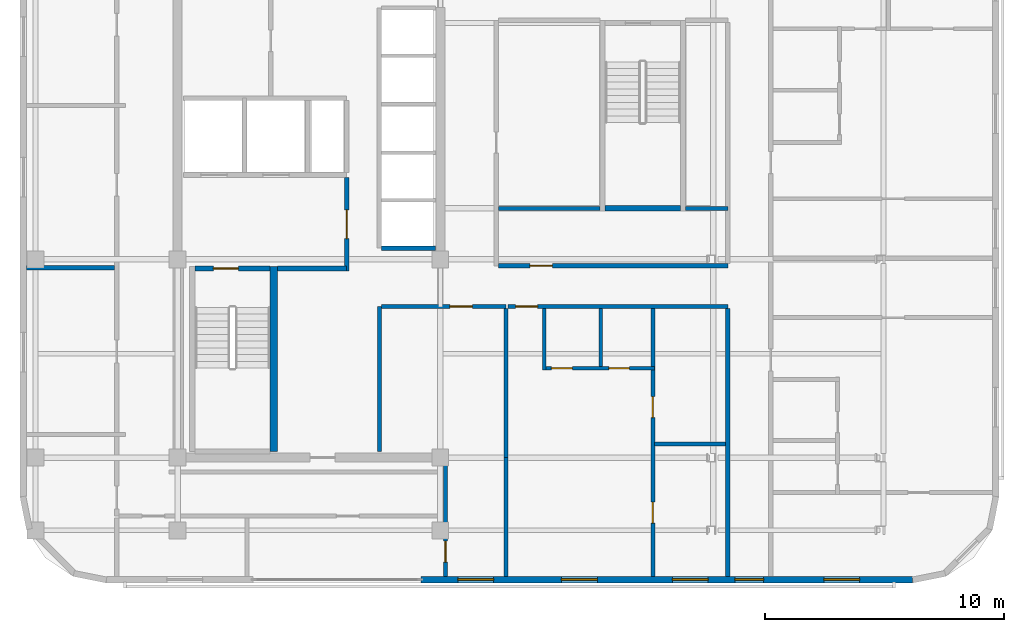
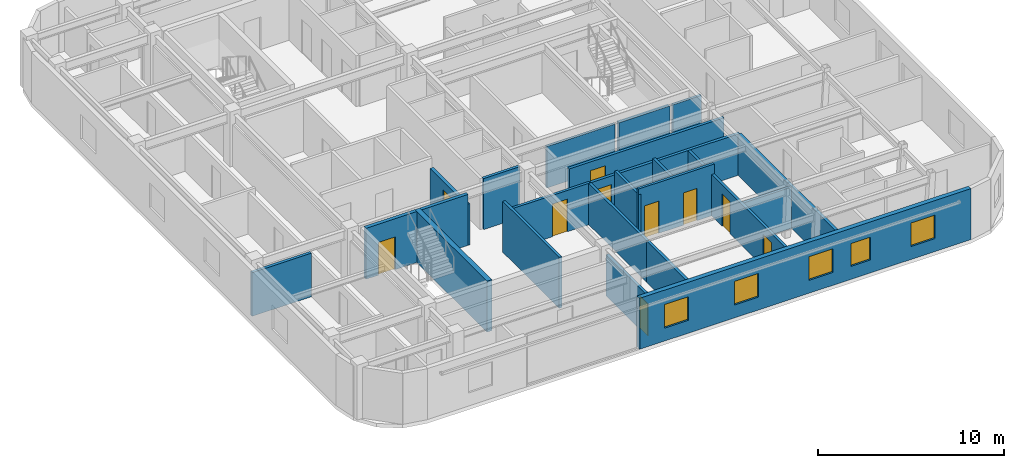
# One storey, part 4 of 11: 23 walls, 10 doors, 5 windows, 15 openings.
"""IFC4 building model written with IfcOpenShell, lengths in metres."""

from ifc_helpers import new_model, si_unit, direction, frame, frame_2d, origin, place, context, subcontext, project, spatial, rectangle, extrude, material, layer, layer_set, type_object, element, fill, save


model = new_model("IFC4")

# Units and contexts
model_context = context("Model", 3, precision=1e-05, world=origin(), true_north=direction((0.0, 1.0)))
body_context = subcontext(model_context, "Body", "Model", "MODEL_VIEW")
ifc_project = project(units=[si_unit("LENGTHUNIT", "METRE"), si_unit("AREAUNIT", "SQUARE_METRE"), si_unit("VOLUMEUNIT", "CUBIC_METRE"), si_unit("PLANEANGLEUNIT", "RADIAN"), si_unit("MASSUNIT", "GRAM", prefix="KILO")], contexts=[model_context])

# Site, building, storey
site_placement = place(None, origin())
site = spatial("IfcSite", under=ifc_project, at=site_placement, CompositionType="ELEMENT")
building_placement = place(site_placement, origin())
building = spatial("IfcBuilding", under=site, at=building_placement, Name="Ochreholt Gables", CompositionType="ELEMENT")
storey_placement = place(building_placement, frame((0.0, 0.0, 188.39990234375)))
storey = spatial("IfcBuildingStorey", under=building, at=storey_placement, Name="L49", CompositionType="ELEMENT", Elevation=188.39990234375)

# Wall, openings, windows
ifc_material_1 = material(Name="Precast concrete 40 MPa", Category="concrete")
ifc_layer_1 = layer(ifc_material_1, 0.280029296875, Name="Precast concrete 40 MPa")
ifc_layer_set_1 = layer_set([ifc_layer_1], Name="Precast concrete 40 MPa")
wall_type_1 = type_object("IfcWallType", Name="WALL-EXT-280", PredefinedType="SOLIDWALL", material=ifc_layer_set_1)
wall_1_placement = place(storey_placement, frame((34.39990234375, 4.139892578125, 0.0), z_axis=(0.0, 0.0, 1.0), x_axis=(1.0, 0.0, 0.0)))
wall_1 = element("IfcWall", 1, at=wall_1_placement, inside=storey, type_object=wall_type_1, Name="L49 South Facade Wall 2", PredefinedType="SOLIDWALL", context=body_context, shape_type="SweptSolid", body=[
    extrude(rectangle(XDim=20.580078125, YDim=0.280029296875, at=frame_2d((10.2900390625, 0.0))), origin(), (0.0, 0.0, 1.0), 3.35009765625),
])
opening_1_placement = place(wall_1_placement, frame((1.534912109375, 0.0, 0.85009765625)))
opening_1 = element("IfcOpeningElement", 2, at=opening_1_placement, cuts=wall_1, Name="Opening WN-2", PredefinedType="OPENING", context=body_context, shape_type="SweptSolid", body=[
    extrude(rectangle(XDim=1.5, YDim=1.550048828125, at=frame_2d((0.75, 0.77490234375))), frame((0.0, 0.14990234375, 0.0), z_axis=(0.0, -1.0, 0.0), x_axis=(1.0, 0.0, 0.0)), (0.0, 0.0, 1.0), 0.300048828125),
])
opening_2_placement = place(wall_1_placement, frame((5.87646484375, 0.0, 0.85009765625)))
opening_2 = element("IfcOpeningElement", 3, at=opening_2_placement, cuts=wall_1, Name="Opening WN-2", PredefinedType="OPENING", context=body_context, shape_type="SweptSolid", body=[
    extrude(rectangle(XDim=1.5, YDim=1.550048828125, at=frame_2d((0.75, 0.77490234375))), frame((0.0, 0.14990234375, 0.0), z_axis=(0.0, -1.0, 0.0), x_axis=(1.0, 0.0, 0.0)), (0.0, 0.0, 1.0), 0.300048828125),
])
opening_3_placement = place(wall_1_placement, frame((10.52294921875, 0.0, 0.85009765625)))
opening_3 = element("IfcOpeningElement", 4, at=opening_3_placement, cuts=wall_1, Name="Opening WN-2", PredefinedType="OPENING", context=body_context, shape_type="SweptSolid", body=[
    extrude(rectangle(XDim=1.5, YDim=1.550048828125, at=frame_2d((0.75, 0.77490234375))), frame((0.0, 0.14990234375, 0.0), z_axis=(0.0, -1.0, 0.0), x_axis=(1.0, 0.0, 0.0)), (0.0, 0.0, 1.0), 0.300048828125),
])
opening_4_placement = place(wall_1_placement, frame((13.14306640625, 0.0, 0.85009765625)))
opening_4 = element("IfcOpeningElement", 5, at=opening_4_placement, cuts=wall_1, Name="Opening WN-3", PredefinedType="OPENING", context=body_context, shape_type="SweptSolid", body=[
    extrude(rectangle(XDim=1.199951171875, YDim=1.5, at=frame_2d((0.60009765625, 0.75))), frame((0.0, 0.14990234375, 0.0), z_axis=(0.0, -1.0, 0.0), x_axis=(1.0, 0.0, 0.0)), (0.0, 0.0, 1.0), 0.300048828125),
])
opening_5_placement = place(wall_1_placement, frame((16.861572265625, 0.0, 0.85009765625)))
opening_5 = element("IfcOpeningElement", 6, at=opening_5_placement, cuts=wall_1, Name="Opening WN-2", PredefinedType="OPENING", context=body_context, shape_type="SweptSolid", body=[
    extrude(rectangle(XDim=1.5, YDim=1.550048828125, at=frame_2d((0.75, 0.77490234375))), frame((0.0, 0.14990234375, 0.0), z_axis=(0.0, -1.0, 0.0), x_axis=(1.0, 0.0, 0.0)), (0.0, 0.0, 1.0), 0.300048828125),
])
ifc_material_2 = material(Name="Triple-Glazed Thermally Broken Aluminium Window", Category="aluminium")
window_type_1 = type_object("IfcWindowType", Name="WIN-RES-1200", PartitioningType="SINGLE_PANEL", PredefinedType="WINDOW", material=ifc_material_2)
window_1_placement = place(opening_4_placement, origin())
window_1 = element("IfcWindow", 7, at=window_1_placement, inside=storey, type_object=window_type_1, Name="L49 Window W-EXT-S2-L49-4", OverallHeight=1.5, OverallWidth=1.199951171875, PartitioningType="SINGLE_PANEL", PredefinedType="WINDOW", context=body_context, shape_type="SweptSolid", body=[
    extrude(rectangle(XDim=1.199951171875, YDim=1.5, at=frame_2d((0.60009765625, 0.75))), frame((0.0, 0.030029296875, 0.0), z_axis=(0.0, -1.0, 0.0), x_axis=(1.0, 0.0, 0.0)), (0.0, 0.0, 1.0), 0.06005859375),
])
fill(opening_4, window_1)
window_type_2 = type_object("IfcWindowType", Name="WIN-RES-1500", PartitioningType="SINGLE_PANEL", PredefinedType="WINDOW", material=ifc_material_2)
window_2_placement = place(opening_1_placement, origin())
window_2 = element("IfcWindow", 8, at=window_2_placement, inside=storey, type_object=window_type_2, Name="L49 Window W-EXT-S2-L49-1", OverallHeight=1.550048828125, OverallWidth=1.5, PartitioningType="SINGLE_PANEL", PredefinedType="WINDOW", context=body_context, shape_type="SweptSolid", body=[
    extrude(rectangle(XDim=1.5, YDim=1.550048828125, at=frame_2d((0.75, 0.77490234375))), frame((0.0, 0.030029296875, 0.0), z_axis=(0.0, -1.0, 0.0), x_axis=(1.0, 0.0, 0.0)), (0.0, 0.0, 1.0), 0.06005859375),
])
fill(opening_1, window_2)
window_3_placement = place(opening_2_placement, origin())
window_3 = element("IfcWindow", 9, at=window_3_placement, inside=storey, type_object=window_type_2, Name="L49 Window W-EXT-S2-L49-2", OverallHeight=1.550048828125, OverallWidth=1.5, PartitioningType="SINGLE_PANEL", PredefinedType="WINDOW", context=body_context, shape_type="SweptSolid", body=[
    extrude(rectangle(XDim=1.5, YDim=1.550048828125, at=frame_2d((0.75, 0.77490234375))), frame((0.0, 0.030029296875, 0.0), z_axis=(0.0, -1.0, 0.0), x_axis=(1.0, 0.0, 0.0)), (0.0, 0.0, 1.0), 0.06005859375),
])
fill(opening_2, window_3)
window_4_placement = place(opening_3_placement, origin())
window_4 = element("IfcWindow", 10, at=window_4_placement, inside=storey, type_object=window_type_2, Name="L49 Window W-EXT-S2-L49-3", OverallHeight=1.550048828125, OverallWidth=1.5, PartitioningType="SINGLE_PANEL", PredefinedType="WINDOW", context=body_context, shape_type="SweptSolid", body=[
    extrude(rectangle(XDim=1.5, YDim=1.550048828125, at=frame_2d((0.75, 0.77490234375))), frame((0.0, 0.030029296875, 0.0), z_axis=(0.0, -1.0, 0.0), x_axis=(1.0, 0.0, 0.0)), (0.0, 0.0, 1.0), 0.06005859375),
])
fill(opening_3, window_4)
window_5_placement = place(opening_5_placement, origin())
window_5 = element("IfcWindow", 11, at=window_5_placement, inside=storey, type_object=window_type_2, Name="L49 Window W-EXT-S2-L49-5", OverallHeight=1.550048828125, OverallWidth=1.5, PartitioningType="SINGLE_PANEL", PredefinedType="WINDOW", context=body_context, shape_type="SweptSolid", body=[
    extrude(rectangle(XDim=1.5, YDim=1.550048828125, at=frame_2d((0.75, 0.77490234375))), frame((0.0, 0.030029296875, 0.0), z_axis=(0.0, -1.0, 0.0), x_axis=(1.0, 0.0, 0.0)), (0.0, 0.0, 1.0), 0.06005859375),
])
fill(opening_5, window_5)

# Wall
ifc_material_3 = material(Name="Concrete 40 MPa", Category="concrete")
ifc_layer_2 = layer(ifc_material_3, 0.199951171875, Name="Concrete 40 MPa")
ifc_layer_set_2 = layer_set([ifc_layer_2], Name="Concrete 40 MPa")
wall_type_2 = type_object("IfcWallType", Name="WALL-INT-CF200", PredefinedType="STANDARD", material=ifc_layer_set_2)
wall_2_placement = place(storey_placement, frame((28.3798828125, 17.169921875, 0.0), z_axis=(0.0, 0.0, 1.0), x_axis=(1.0, 0.0, 0.0)))
element("IfcWall", 12, at=wall_2_placement, inside=storey, type_object=wall_type_2, Name="L49 Interior Wall WI-FFS-L49", PredefinedType="STANDARD", context=body_context, shape_type="SweptSolid", body=[
    extrude(rectangle(XDim=2.900146484375, YDim=0.199951171875, at=frame_2d((1.4501953125, 0.0))), origin(), (0.0, 0.0, 1.0), 3.35009765625),
])

# Wall, opening, door
wall_3_placement = place(storey_placement, frame((31.280029296875, 17.070068359375, 0.0), z_axis=(0.0, 0.0, 1.0), x_axis=(0.0, 1.0, 0.0)))
wall_3 = element("IfcWall", 13, at=wall_3_placement, inside=storey, type_object=wall_type_2, Name="L49 Interior Wall WI-FFE-L49", PredefinedType="STANDARD", context=body_context, shape_type="SweptSolid", body=[
    extrude(rectangle(XDim=3.919921875, YDim=0.199951171875, at=frame_2d((1.9599609375, 0.0))), origin(), (0.0, 0.0, 1.0), 2.72021484375),
])
opening_6_placement = place(wall_3_placement, frame((1.35009765625, 0.0, 0.0)))
opening_6 = element("IfcOpeningElement", 14, at=opening_6_placement, cuts=wall_3, Name="Opening D-FFL", PredefinedType="OPENING", context=body_context, shape_type="SweptSolid", body=[
    extrude(rectangle(XDim=1.199951171875, YDim=2.14990234375, at=frame_2d((0.60009765625, 1.074951171875))), frame((0.0, 0.10986328125, 0.0), z_axis=(0.0, -1.0, 0.0), x_axis=(1.0, 0.0, 0.0)), (0.0, 0.0, 1.0), 0.219970703125),
])
ifc_material_4 = material(Name="Hollow Metal Steel", Category="steel")
door_type_1 = type_object("IfcDoorType", Name="DR-INT-FFL1200", OperationType="NOTDEFINED", PredefinedType="DOOR", material=ifc_material_4)
door_1_placement = place(opening_6_placement, origin())
door_1 = element("IfcDoor", 15, at=door_1_placement, inside=storey, type_object=door_type_1, Name="L49 Door D-FFL-L49", OperationType="SINGLE_SWING_LEFT", OverallHeight=2.14990234375, OverallWidth=1.199951171875, PredefinedType="DOOR", context=body_context, shape_type="SweptSolid", body=[
    extrude(rectangle(XDim=1.199951171875, YDim=2.14990234375, at=frame_2d((0.60009765625, 1.074951171875))), frame((0.0, 0.02490234375, 0.0), z_axis=(0.0, -1.0, 0.0), x_axis=(1.0, 0.0, 0.0)), (0.0, 0.0, 1.0), 0.050048828125),
])
fill(opening_6, door_1)

ifc_material_5 = material(Name="Fire-Rated Gypsum Acoustic Partition", Category="gypsum")
ifc_layer_3 = layer(ifc_material_5, 0.179931640625, Name="Fire-Rated Gypsum Acoustic Partition")
ifc_layer_set_3 = layer_set([ifc_layer_3], Name="Fire-Rated Gypsum Acoustic Partition")
wall_type_3 = type_object("IfcWallType", Name="WALL-INT-CR180", PredefinedType="STANDARD", material=ifc_layer_set_3)
wall_4_placement = place(storey_placement, frame((38.032470703125, 15.580078125, 0.0), z_axis=(0.0, 0.0, 1.0), x_axis=(1.0, 0.0, 0.0)))
wall_4 = element("IfcWall", 16, at=wall_4_placement, inside=storey, type_object=wall_type_3, Name="L49 Interior Wall WI-C2SS1-L49", PredefinedType="STANDARD", context=body_context, shape_type="SweptSolid", body=[
    extrude(rectangle(XDim=9.21044921875, YDim=0.179931640625, at=frame_2d((4.605224609375, 0.0))), origin(), (0.0, 0.0, 1.0), 2.72021484375),
])
opening_7_placement = place(wall_4_placement, frame((0.327392578125, 0.0, 0.0)))
opening_7 = element("IfcOpeningElement", 17, at=opening_7_placement, cuts=wall_4, Name="Opening D-UN1", PredefinedType="OPENING", context=body_context, shape_type="SweptSolid", body=[
    extrude(rectangle(XDim=0.919921875, YDim=2.14990234375, at=frame_2d((0.4599609375, 1.074951171875))), frame((0.0, 0.099853515625, 0.0), z_axis=(0.0, -1.0, 0.0), x_axis=(1.0, 0.0, 0.0)), (0.0, 0.0, 1.0), 0.199951171875),
])
ifc_material_6 = material(Name="Engineered Oak Timber", Category="wood")
door_type_2 = type_object("IfcDoorType", Name="DR-INT-UNT920", OperationType="NOTDEFINED", PredefinedType="DOOR", material=ifc_material_6)
door_2_placement = place(opening_7_placement, origin())
door_2 = element("IfcDoor", 18, at=door_2_placement, inside=storey, type_object=door_type_2, Name="L49 Door D-U-L49S1-ENT", OperationType="SINGLE_SWING_RIGHT", OverallHeight=2.14990234375, OverallWidth=0.919921875, PredefinedType="DOOR", context=body_context, shape_type="SweptSolid", body=[
    extrude(rectangle(XDim=0.919921875, YDim=2.14990234375, at=frame_2d((0.4599609375, 1.074951171875))), frame((0.0, 0.02490234375, 0.0), z_axis=(0.0, -1.0, 0.0), x_axis=(1.0, 0.0, 0.0)), (0.0, 0.0, 1.0), 0.050048828125),
])
fill(opening_7, door_2)

wall_5_placement = place(storey_placement, frame((37.639892578125, 17.280029296875, 0.0), z_axis=(0.0, 0.0, 1.0), x_axis=(1.0, 0.0, 0.0)))
wall_5 = element("IfcWall", 19, at=wall_5_placement, inside=storey, type_object=wall_type_3, Name="L49 Interior Wall WI-C2SS2-L49", PredefinedType="STANDARD", context=body_context, shape_type="SweptSolid", body=[
    extrude(rectangle(XDim=9.60302734375, YDim=0.179931640625, at=frame_2d((4.801513671875, 0.0))), origin(), (0.0, 0.0, 1.0), 2.72021484375),
])
opening_8_placement = place(wall_5_placement, frame((1.31005859375, 0.0, 0.0)))
opening_8 = element("IfcOpeningElement", 20, at=opening_8_placement, cuts=wall_5, Name="Opening D-GN1", PredefinedType="OPENING", context=body_context, shape_type="SweptSolid", body=[
    extrude(rectangle(XDim=0.949951171875, YDim=2.14990234375, at=frame_2d((0.47509765625, 1.074951171875))), frame((0.0, 0.099853515625, 0.0), z_axis=(0.0, -1.0, 0.0), x_axis=(1.0, 0.0, 0.0)), (0.0, 0.0, 1.0), 0.199951171875),
])
door_type_3 = type_object("IfcDoorType", Name="DR-INT-GEN950", OperationType="NOTDEFINED", PredefinedType="DOOR", material=ifc_material_6)
door_3_placement = place(opening_8_placement, origin())
door_3 = element("IfcDoor", 21, at=door_3_placement, inside=storey, type_object=door_type_3, Name="L49 Door D-C2FSL-L49", OperationType="SINGLE_SWING_LEFT", OverallHeight=2.14990234375, OverallWidth=0.949951171875, PredefinedType="DOOR", context=body_context, shape_type="SweptSolid", body=[
    extrude(rectangle(XDim=0.949951171875, YDim=2.14990234375, at=frame_2d((0.47509765625, 1.074951171875))), frame((0.0, 0.02490234375, 0.0), z_axis=(0.0, -1.0, 0.0), x_axis=(1.0, 0.0, 0.0)), (0.0, 0.0, 1.0), 0.050048828125),
])
fill(opening_8, door_3)

# Wall
wall_6_placement = place(storey_placement, frame((47.242919921875, 4.280029296875, 0.0), z_axis=(0.0, 0.0, 1.0), x_axis=(0.0, 1.0, 0.0)))
element("IfcWall", 22, at=wall_6_placement, inside=storey, type_object=wall_type_3, Name="L49 Interior Wall WI-C2FEGW1-L49", PredefinedType="STANDARD", context=body_context, shape_type="SweptSolid", body=[
    extrude(rectangle(XDim=11.2099609375, YDim=0.179931640625, at=frame_2d((5.60498046875, 0.0))), origin(), (0.0, 0.0, 1.0), 2.72021484375),
])

# Wall, opening, door
ifc_material_7 = material(Name="Double-Stud Acoustic Demising Wall", Category="gypsum")
ifc_layer_4 = layer(ifc_material_7, 0.179931640625, Name="Double-Stud Acoustic Demising Wall")
ifc_layer_set_4 = layer_set([ifc_layer_4], Name="Double-Stud Acoustic Demising Wall")
wall_type_4 = type_object("IfcWallType", Name="WALL-INT-DM180", PredefinedType="PARTITIONING", material=ifc_layer_set_4)
wall_7_placement = place(storey_placement, frame((35.419921875, 4.280029296875, 0.0), z_axis=(0.0, 0.0, 1.0), x_axis=(0.0, 1.0, 0.0)))
wall_7 = element("IfcWall", 23, at=wall_7_placement, inside=storey, type_object=wall_type_4, Name="L49 Interior Wall WI-C2SES-L49", PredefinedType="PARTITIONING", context=body_context, shape_type="SweptSolid", body=[
    extrude(rectangle(XDim=4.969970703125, YDim=0.179931640625, at=frame_2d((2.48486328125, 0.0))), origin(), (0.0, 0.0, 1.0), 2.72021484375),
])
opening_9_placement = place(wall_7_placement, frame((0.590087890625, 0.0, 0.0)))
opening_9 = element("IfcOpeningElement", 24, at=opening_9_placement, cuts=wall_7, Name="Opening D-GN2", PredefinedType="OPENING", context=body_context, shape_type="SweptSolid", body=[
    extrude(rectangle(XDim=0.8798828125, YDim=2.1201171875, at=frame_2d((0.43994140625, 1.06005859375))), frame((0.0, 0.099853515625, 0.0), z_axis=(0.0, -1.0, 0.0), x_axis=(1.0, 0.0, 0.0)), (0.0, 0.0, 1.0), 0.199951171875),
])
door_type_4 = type_object("IfcDoorType", Name="DR-INT-GEN880", OperationType="NOTDEFINED", PredefinedType="DOOR", material=ifc_material_6)
door_4_placement = place(opening_9_placement, origin())
door_4 = element("IfcDoor", 25, at=door_4_placement, inside=storey, type_object=door_type_4, Name="L49 Door D-C2SPS-L49", OperationType="SINGLE_SWING_LEFT", OverallHeight=2.1201171875, OverallWidth=0.8798828125, PredefinedType="DOOR", context=body_context, shape_type="SweptSolid", body=[
    extrude(rectangle(XDim=0.8798828125, YDim=2.1201171875, at=frame_2d((0.43994140625, 1.06005859375))), frame((0.0, 0.02490234375, 0.0), z_axis=(0.0, -1.0, 0.0), x_axis=(1.0, 0.0, 0.0)), (0.0, 0.0, 1.0), 0.050048828125),
])
fill(opening_9, door_4)

# Walls
wall_8_placement = place(storey_placement, frame((37.949951171875, 4.280029296875, 0.0), z_axis=(0.0, 0.0, 1.0), x_axis=(0.0, 1.0, 0.0)))
element("IfcWall", 26, at=wall_8_placement, inside=storey, type_object=wall_type_4, Name="L49 Interior Wall WI-C2SEW2-L49", PredefinedType="PARTITIONING", context=body_context, shape_type="SweptSolid", body=[
    extrude(rectangle(XDim=4.969970703125, YDim=0.179931640625, at=frame_2d((2.48486328125, 0.0))), origin(), (0.0, 0.0, 1.0), 2.72021484375),
])
wall_9_placement = place(storey_placement, frame((17.8798828125, 17.199951171875, 0.0), z_axis=(0.0, 0.0, 1.0), x_axis=(1.0, 0.0, 0.0)))
element("IfcWall", 27, at=wall_9_placement, inside=storey, type_object=wall_type_4, Name="L49 Interior Wall WI-C2UDW2-L49", PredefinedType="PARTITIONING", context=body_context, shape_type="SweptSolid", body=[
    extrude(rectangle(XDim=3.68017578125, YDim=0.179931640625, at=frame_2d((1.840087890625, 0.0))), origin(), (0.0, 0.0, 1.0), 2.869140625),
])

# Wall, openings, doors
ifc_material_8 = material(Name="Moisture-Resistant Plumbing Chase Wall", Category="gypsum")
ifc_layer_5 = layer(ifc_material_8, 0.159912109375, Name="Moisture-Resistant Plumbing Chase Wall")
ifc_layer_set_5 = layer_set([ifc_layer_5], Name="Moisture-Resistant Plumbing Chase Wall")
wall_type_5 = type_object("IfcWallType", Name="WALL-INT-PL160", PredefinedType="PLUMBINGWALL", material=ifc_layer_set_5)
wall_10_placement = place(storey_placement, frame((39.472900390625, 12.992431640625, 0.0), z_axis=(0.0, 0.0, 1.0), x_axis=(1.0, 0.0, 0.0)))
wall_10 = element("IfcWall", 28, at=wall_10_placement, inside=storey, type_object=wall_type_5, Name="L49 Interior Wall WU-L49S1-WY", PredefinedType="PLUMBINGWALL", context=body_context, shape_type="SweptSolid", body=[
    extrude(rectangle(XDim=4.710205078125, YDim=0.159912109375, at=frame_2d((2.35498046875, 0.0))), origin(), (0.0, 0.0, 1.0), 3.35009765625),
])
opening_10_placement = place(wall_10_placement, frame((0.3798828125, 0.0, 0.0)))
opening_10 = element("IfcOpeningElement", 29, at=opening_10_placement, cuts=wall_10, Name="Opening D-GN2", PredefinedType="OPENING", context=body_context, shape_type="SweptSolid", body=[
    extrude(rectangle(XDim=0.8798828125, YDim=2.1201171875, at=frame_2d((0.43994140625, 1.06005859375))), frame((0.0, 0.08984375, 0.0), z_axis=(0.0, -1.0, 0.0), x_axis=(1.0, 0.0, 0.0)), (0.0, 0.0, 1.0), 0.179931640625),
])
opening_11_placement = place(wall_10_placement, frame((2.785888671875, 0.0, 0.0)))
opening_11 = element("IfcOpeningElement", 30, at=opening_11_placement, cuts=wall_10, Name="Opening D-BT1", PredefinedType="OPENING", context=body_context, shape_type="SweptSolid", body=[
    extrude(rectangle(XDim=0.860107421875, YDim=2.1201171875, at=frame_2d((0.43017578125, 1.06005859375))), frame((0.0, 0.08984375, 0.0), z_axis=(0.0, -1.0, 0.0), x_axis=(1.0, 0.0, 0.0)), (0.0, 0.0, 1.0), 0.179931640625),
])
door_type_5 = type_object("IfcDoorType", Name="DR-INT-BTH860", OperationType="NOTDEFINED", PredefinedType="DOOR", material=ifc_material_6)
door_5_placement = place(opening_11_placement, origin())
door_5 = element("IfcDoor", 31, at=door_5_placement, inside=storey, type_object=door_type_5, Name="L49 Door D-U-L49S1-BTH", OperationType="SINGLE_SWING_RIGHT", OverallHeight=2.1201171875, OverallWidth=0.860107421875, PredefinedType="DOOR", context=body_context, shape_type="SweptSolid", body=[
    extrude(rectangle(XDim=0.860107421875, YDim=2.1201171875, at=frame_2d((0.43017578125, 1.06005859375))), frame((0.0, 0.02490234375, 0.0), z_axis=(0.0, -1.0, 0.0), x_axis=(1.0, 0.0, 0.0)), (0.0, 0.0, 1.0), 0.050048828125),
])
fill(opening_11, door_5)
door_6_placement = place(opening_10_placement, origin())
door_6 = element("IfcDoor", 32, at=door_6_placement, inside=storey, type_object=door_type_4, Name="L49 Door D-U-L49S1-KIT", OperationType="SINGLE_SWING_LEFT", OverallHeight=2.1201171875, OverallWidth=0.8798828125, PredefinedType="DOOR", context=body_context, shape_type="SweptSolid", body=[
    extrude(rectangle(XDim=0.8798828125, YDim=2.1201171875, at=frame_2d((0.43994140625, 1.06005859375))), frame((0.0, 0.02490234375, 0.0), z_axis=(0.0, -1.0, 0.0), x_axis=(1.0, 0.0, 0.0)), (0.0, 0.0, 1.0), 0.050048828125),
])
fill(opening_10, door_6)

# Walls
wall_11_placement = place(storey_placement, frame((39.552978515625, 12.91259765625, 0.0), z_axis=(0.0, 0.0, 1.0), x_axis=(0.0, 1.0, 0.0)))
element("IfcWall", 33, at=wall_11_placement, inside=storey, type_object=wall_type_5, Name="L49 Interior Wall WU-L49S1-FY", PredefinedType="PLUMBINGWALL", context=body_context, shape_type="SweptSolid", body=[
    extrude(rectangle(XDim=2.577392578125, YDim=0.159912109375, at=frame_2d((1.28857421875, 0.0))), origin(), (0.0, 0.0, 1.0), 2.97412109375),
])
wall_12_placement = place(storey_placement, frame((41.9189453125, 13.072509765625, 0.0), z_axis=(0.0, 0.0, 1.0), x_axis=(0.0, 1.0, 0.0)))
element("IfcWall", 34, at=wall_12_placement, inside=storey, type_object=wall_type_5, Name="L49 Interior Wall WU-L49S1-WK", PredefinedType="PLUMBINGWALL", context=body_context, shape_type="SweptSolid", body=[
    extrude(rectangle(XDim=2.41748046875, YDim=0.159912109375, at=frame_2d((1.208740234375, 0.0))), origin(), (0.0, 0.0, 1.0), 2.97412109375),
])
ifc_material_9 = material(Name="Gypsum Acoustic Stud Partition", Category="gypsum")
ifc_layer_6 = layer(ifc_material_9, 0.1650390625, Name="Gypsum Acoustic Stud Partition")
ifc_layer_set_6 = layer_set([ifc_layer_6], Name="Gypsum Acoustic Stud Partition")
wall_type_6 = type_object("IfcWallType", Name="WALL-INT-PT165", PredefinedType="PARTITIONING", material=ifc_layer_set_6)
wall_13_placement = place(storey_placement, frame((32.64990234375, 9.5, 0.0), z_axis=(0.0, 0.0, 1.0), x_axis=(0.0, 1.0, 0.0)))
element("IfcWall", 35, at=wall_13_placement, inside=storey, type_object=wall_type_6, Name="L49 Interior Wall WI-RCL-W-L49", PredefinedType="PARTITIONING", context=body_context, shape_type="SweptSolid", body=[
    extrude(rectangle(XDim=6.080078125, YDim=0.1650390625, at=frame_2d((3.0400390625, 0.0))), origin(), (0.0, 0.0, 1.0), 3.35009765625),
])

# Wall, opening, door
wall_14_placement = place(storey_placement, frame((32.732421875, 15.580078125, 0.0), z_axis=(0.0, 0.0, 1.0), x_axis=(1.0, 0.0, 0.0)))
wall_14 = element("IfcWall", 36, at=wall_14_placement, inside=storey, type_object=wall_type_6, Name="L49 Interior Wall WI-RCL-N-L49", PredefinedType="PARTITIONING", context=body_context, shape_type="SweptSolid", body=[
    extrude(rectangle(XDim=5.217529296875, YDim=0.1650390625, at=frame_2d((2.60888671875, 0.0))), origin(), (0.0, 0.0, 1.0), 2.72021484375),
])
opening_12_placement = place(wall_14_placement, frame((2.867431640625, 0.0, 0.0)))
opening_12 = element("IfcOpeningElement", 37, at=opening_12_placement, cuts=wall_14, Name="Opening D-GN1", PredefinedType="OPENING", context=body_context, shape_type="SweptSolid", body=[
    extrude(rectangle(XDim=0.949951171875, YDim=2.14990234375, at=frame_2d((0.47509765625, 1.074951171875))), frame((0.0, 0.092529296875, 0.0), z_axis=(0.0, -1.0, 0.0), x_axis=(1.0, 0.0, 0.0)), (0.0, 0.0, 1.0), 0.18505859375),
])
door_7_placement = place(opening_12_placement, origin())
door_7 = element("IfcDoor", 38, at=door_7_placement, inside=storey, type_object=door_type_3, Name="L49 Door D-RCL-L49", OperationType="SINGLE_SWING_LEFT", OverallHeight=2.14990234375, OverallWidth=0.949951171875, PredefinedType="DOOR", context=body_context, shape_type="SweptSolid", body=[
    extrude(rectangle(XDim=0.949951171875, YDim=2.14990234375, at=frame_2d((0.47509765625, 1.074951171875))), frame((0.0, 0.02490234375, 0.0), z_axis=(0.0, -1.0, 0.0), x_axis=(1.0, 0.0, 0.0)), (0.0, 0.0, 1.0), 0.050048828125),
])
fill(opening_12, door_7)

# Wall
wall_15_placement = place(storey_placement, frame((37.949951171875, 9.25, 0.0), z_axis=(0.0, 0.0, 1.0), x_axis=(0.0, 1.0, 0.0)))
element("IfcWall", 39, at=wall_15_placement, inside=storey, type_object=wall_type_6, Name="L49 Interior Wall WI-RCL-E-L49", PredefinedType="PARTITIONING", context=body_context, shape_type="SweptSolid", body=[
    extrude(rectangle(XDim=6.24755859375, YDim=0.1650390625, at=frame_2d((3.123779296875, 0.0))), origin(), (0.0, 0.0, 1.0), 2.72021484375),
])

# Wall, openings, doors
wall_16_placement = place(storey_placement, frame((44.10302734375, 4.280029296875, 0.0), z_axis=(0.0, 0.0, 1.0), x_axis=(0.0, 1.0, 0.0)))
wall_16 = element("IfcWall", 40, at=wall_16_placement, inside=storey, type_object=wall_type_6, Name="L49 Interior Wall WU-L49S1-MNX", PredefinedType="PARTITIONING", context=body_context, shape_type="SweptSolid", body=[
    extrude(rectangle(XDim=11.2099609375, YDim=0.1650390625, at=frame_2d((5.60498046875, 0.0))), origin(), (0.0, 0.0, 1.0), 2.72021484375),
])
opening_13_placement = place(wall_16_placement, frame((2.219970703125, 0.0, 0.0)))
opening_13 = element("IfcOpeningElement", 41, at=opening_13_placement, cuts=wall_16, Name="Opening D-BD2", PredefinedType="OPENING", context=body_context, shape_type="SweptSolid", body=[
    extrude(rectangle(XDim=0.8798828125, YDim=2.139892578125, at=frame_2d((0.43994140625, 1.06982421875))), frame((0.0, 0.092529296875, 0.0), z_axis=(0.0, -1.0, 0.0), x_axis=(1.0, 0.0, 0.0)), (0.0, 0.0, 1.0), 0.18505859375),
])
opening_14_placement = place(wall_16_placement, frame((6.641357421875, 0.0, 0.0)))
opening_14 = element("IfcOpeningElement", 42, at=opening_14_placement, cuts=wall_16, Name="Opening D-GN2", PredefinedType="OPENING", context=body_context, shape_type="SweptSolid", body=[
    extrude(rectangle(XDim=0.8798828125, YDim=2.1201171875, at=frame_2d((0.43994140625, 1.06005859375))), frame((0.0, 0.092529296875, 0.0), z_axis=(0.0, -1.0, 0.0), x_axis=(1.0, 0.0, 0.0)), (0.0, 0.0, 1.0), 0.18505859375),
])
door_type_6 = type_object("IfcDoorType", Name="DR-INT-BED880", OperationType="NOTDEFINED", PredefinedType="DOOR", material=ifc_material_6)
door_8_placement = place(opening_13_placement, origin())
door_8 = element("IfcDoor", 43, at=door_8_placement, inside=storey, type_object=door_type_6, Name="L49 Door D-U-L49S1-BD1", OperationType="SINGLE_SWING_RIGHT", OverallHeight=2.139892578125, OverallWidth=0.8798828125, PredefinedType="DOOR", context=body_context, shape_type="SweptSolid", body=[
    extrude(rectangle(XDim=0.8798828125, YDim=2.139892578125, at=frame_2d((0.43994140625, 1.06982421875))), frame((0.0, 0.02490234375, 0.0), z_axis=(0.0, -1.0, 0.0), x_axis=(1.0, 0.0, 0.0)), (0.0, 0.0, 1.0), 0.050048828125),
])
fill(opening_13, door_8)
door_9_placement = place(opening_14_placement, origin())
door_9 = element("IfcDoor", 44, at=door_9_placement, inside=storey, type_object=door_type_4, Name="L49 Door D-U-L49S1-BD2", OperationType="SINGLE_SWING_LEFT", OverallHeight=2.1201171875, OverallWidth=0.8798828125, PredefinedType="DOOR", context=body_context, shape_type="SweptSolid", body=[
    extrude(rectangle(XDim=0.8798828125, YDim=2.1201171875, at=frame_2d((0.43994140625, 1.06005859375))), frame((0.0, 0.02490234375, 0.0), z_axis=(0.0, -1.0, 0.0), x_axis=(1.0, 0.0, 0.0)), (0.0, 0.0, 1.0), 0.050048828125),
])
fill(opening_14, door_9)

# Walls
wall_17_placement = place(storey_placement, frame((44.18310546875, 9.820068359375, 0.0), z_axis=(0.0, 0.0, 1.0), x_axis=(1.0, 0.0, 0.0)))
element("IfcWall", 45, at=wall_17_placement, inside=storey, type_object=wall_type_6, Name="L49 Interior Wall WU-L49S1-RDV", PredefinedType="PARTITIONING", context=body_context, shape_type="SweptSolid", body=[
    extrude(rectangle(XDim=2.969970703125, YDim=0.1650390625, at=frame_2d((1.48486328125, 0.0))), origin(), (0.0, 0.0, 1.0), 2.72021484375),
])
wall_18_placement = place(storey_placement, frame((37.639892578125, 19.68994140625, 0.0), z_axis=(0.0, 0.0, 1.0), x_axis=(1.0, 0.0, 0.0)))
element("IfcWall", 46, at=wall_18_placement, inside=storey, type_object=wall_type_6, Name="L49 Interior Wall WI-C2FSWA-L49", PredefinedType="PARTITIONING", context=body_context, shape_type="SweptSolid", body=[
    extrude(rectangle(XDim=4.239990234375, YDim=0.1650390625, at=frame_2d((2.1201171875, 0.0))), origin(), (0.0, 0.0, 1.0), 2.72021484375),
])
wall_19_placement = place(storey_placement, frame((45.47998046875, 19.68994140625, 0.0), z_axis=(0.0, 0.0, 1.0), x_axis=(1.0, 0.0, 0.0)))
element("IfcWall", 47, at=wall_19_placement, inside=storey, type_object=wall_type_6, Name="L49 Interior Wall WI-C2FSWB-L49", PredefinedType="PARTITIONING", context=body_context, shape_type="SweptSolid", body=[
    extrude(rectangle(XDim=1.762939453125, YDim=0.1650390625, at=frame_2d((0.88134765625, 0.0))), origin(), (0.0, 0.0, 1.0), 2.72021484375),
])
ifc_material_10 = material(Name="Gypsum Shaftliner and Steel Stud", Category="steel")
ifc_layer_7 = layer(ifc_material_10, 0.179931640625, Name="Gypsum Shaftliner and Steel Stud")
ifc_layer_set_7 = layer_set([ifc_layer_7], Name="Gypsum Shaftliner and Steel Stud")
wall_type_7 = type_object("IfcWallType", Name="WALL-INT-SH180", PredefinedType="STANDARD", material=ifc_layer_set_7)
wall_20_placement = place(storey_placement, frame((32.739990234375, 18.02001953125, 0.0), z_axis=(0.0, 0.0, 1.0), x_axis=(1.0, 0.0, 0.0)))
element("IfcWall", 48, at=wall_20_placement, inside=storey, type_object=wall_type_7, Name="L49 Interior Wall WI-LFHE-S-L49", PredefinedType="STANDARD", context=body_context, shape_type="SweptSolid", body=[
    extrude(rectangle(XDim=2.260009765625, YDim=0.179931640625, at=frame_2d((1.1298828125, 0.0))), origin(), (0.0, 0.0, 1.0), 3.35009765625),
])
ifc_material_11 = material(Name="Concrete 60 MPa", Category="concrete")
ifc_layer_8 = layer(ifc_material_11, 0.300048828125, Name="Concrete 60 MPa")
ifc_layer_set_8 = layer_set([ifc_layer_8], Name="Concrete 60 MPa")
wall_type_8 = type_object("IfcWallType", Name="WALL-SPN-300", PredefinedType="SHEAR", material=ifc_layer_set_8)
wall_21_placement = place(storey_placement, frame((28.22998046875, 9.5, 0.0), z_axis=(0.0, 0.0, 1.0), x_axis=(0.0, 1.0, 0.0)))
element("IfcWall", 49, at=wall_21_placement, inside=storey, type_object=wall_type_8, Name="L49 Core South Spine Shear Wall", PredefinedType="SHEAR", context=body_context, shape_type="SweptSolid", body=[
    extrude(rectangle(XDim=7.760009765625, YDim=0.300048828125, at=frame_2d((3.8798828125, 0.0))), origin(), (0.0, 0.0, 1.0), 3.35009765625),
])

# Wall, opening, door
ifc_material_12 = material(Name="Concrete 50 MPa", Category="concrete")
ifc_layer_9 = layer(ifc_material_12, 0.219970703125, Name="Concrete 50 MPa")
ifc_layer_set_9 = layer_set([ifc_layer_9], Name="Concrete 50 MPa")
wall_type_9 = type_object("IfcWallType", Name="WALL-STW-220", PredefinedType="SHEAR", material=ifc_layer_set_9)
wall_22_placement = place(storey_placement, frame((24.919921875, 17.169921875, 0.0), z_axis=(0.0, 0.0, 1.0), x_axis=(1.0, 0.0, 0.0)))
wall_22 = element("IfcWall", 50, at=wall_22_placement, inside=storey, type_object=wall_type_9, Name="L49 Exit Stair 1 North Wall", PredefinedType="SHEAR", context=body_context, shape_type="SweptSolid", body=[
    extrude(rectangle(XDim=3.16015625, YDim=0.219970703125, at=frame_2d((1.580078125, 0.0))), origin(), (0.0, 0.0, 1.0), 3.35009765625),
])
opening_15_placement = place(wall_22_placement, frame((0.780029296875, 0.0, 0.0)))
opening_15 = element("IfcOpeningElement", 51, at=opening_15_placement, cuts=wall_22, Name="Opening D-STC", PredefinedType="OPENING", context=body_context, shape_type="SweptSolid", body=[
    extrude(rectangle(XDim=1.050048828125, YDim=2.14990234375, at=frame_2d((0.52490234375, 1.074951171875))), frame((0.0, 0.119873046875, 0.0), z_axis=(0.0, -1.0, 0.0), x_axis=(1.0, 0.0, 0.0)), (0.0, 0.0, 1.0), 0.239990234375),
])
door_type_7 = type_object("IfcDoorType", Name="DR-INT-ST1050", OperationType="NOTDEFINED", PredefinedType="DOOR", material=ifc_material_4)
door_10_placement = place(opening_15_placement, frame((1.050048828125, 0.0, 0.0), z_axis=(0.0, 0.0, 1.0), x_axis=(-1.0, 0.0, 0.0)))
door_10 = element("IfcDoor", 52, at=door_10_placement, inside=storey, type_object=door_type_7, Name="L49 Door D-ST1-L49", OperationType="SINGLE_SWING_LEFT", OverallHeight=2.14990234375, OverallWidth=1.050048828125, PredefinedType="DOOR", context=body_context, shape_type="SweptSolid", body=[
    extrude(rectangle(XDim=1.050048828125, YDim=2.14990234375, at=frame_2d((0.52490234375, 1.074951171875))), frame((0.0, 0.02490234375, 0.0), z_axis=(0.0, -1.0, 0.0), x_axis=(1.0, 0.0, 0.0)), (0.0, 0.0, 1.0), 0.050048828125),
])
fill(opening_15, door_10)

# Wall
wall_23_placement = place(storey_placement, frame((42.10009765625, 19.68994140625, 0.0), z_axis=(0.0, 0.0, 1.0), x_axis=(1.0, 0.0, 0.0)))
element("IfcWall", 53, at=wall_23_placement, inside=storey, type_object=wall_type_9, Name="L49 Feature Stair ST-C5 South Wall", PredefinedType="SHEAR", context=body_context, shape_type="SweptSolid", body=[
    extrude(rectangle(XDim=3.159912109375, YDim=0.219970703125, at=frame_2d((1.580078125, 0.0))), origin(), (0.0, 0.0, 1.0), 2.738525390625),
])

save(model, "model.ifc")
